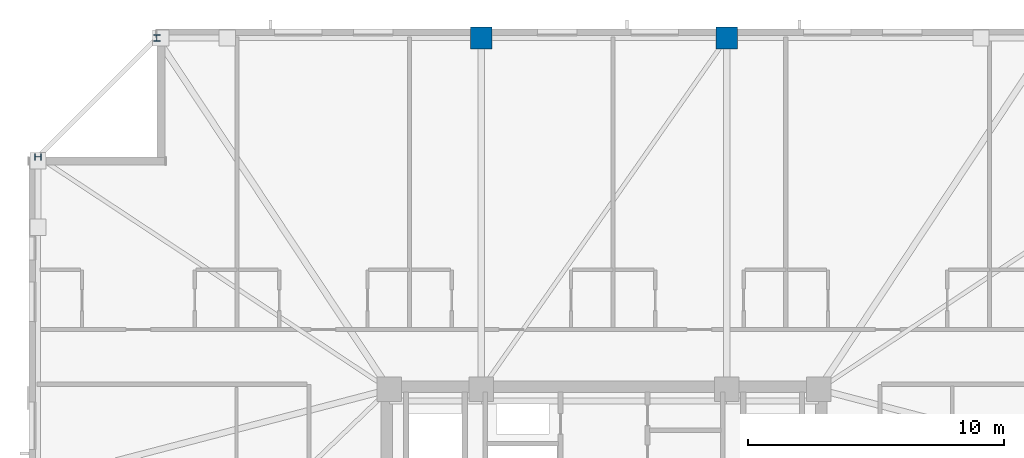
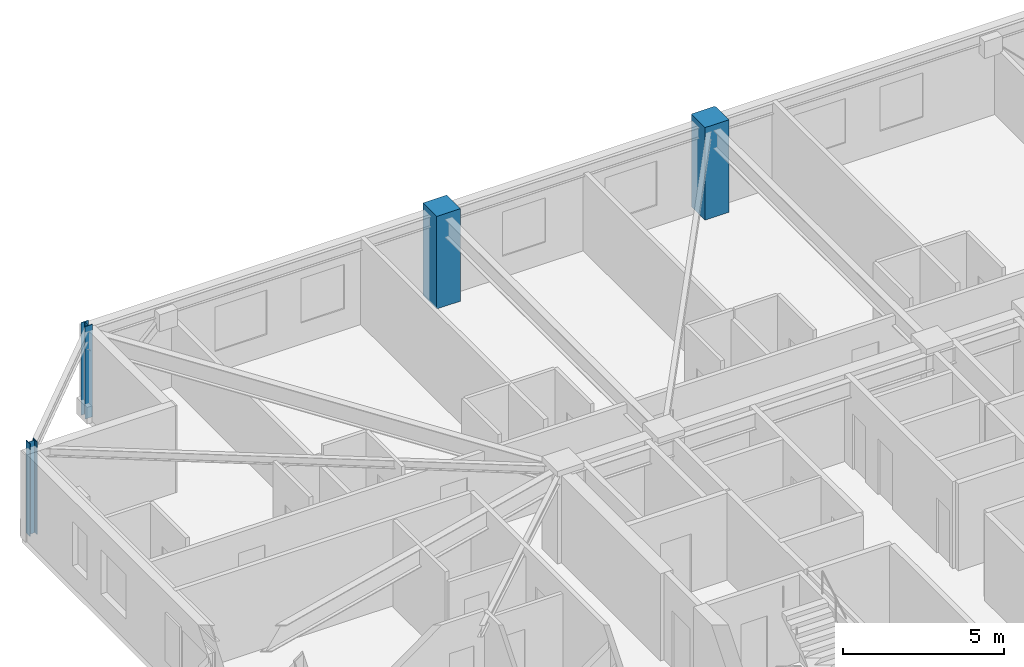
# One storey, part 4 of 17: 4 columns.
"""IFC4 building model written with IfcOpenShell, lengths in metres."""

from ifc_helpers import new_model, si_unit, direction, frame, origin, origin_2d, place, context, subcontext, project, spatial, rectangle, i_section, extrude, material, material_profile, profile_set, type_object, element, save


model = new_model("IFC4")

# Units and contexts
model_context = context("Model", 3, precision=1e-05, world=origin(), true_north=direction((0.0, 1.0)))
body_context = subcontext(model_context, "Body", "Model", "MODEL_VIEW")
ifc_project = project(units=[si_unit("LENGTHUNIT", "METRE"), si_unit("AREAUNIT", "SQUARE_METRE"), si_unit("VOLUMEUNIT", "CUBIC_METRE"), si_unit("PLANEANGLEUNIT", "RADIAN"), si_unit("MASSUNIT", "GRAM", prefix="KILO")], contexts=[model_context])

# Site, building, storey
site_placement = place(None, origin())
site = spatial("IfcSite", under=ifc_project, at=site_placement, CompositionType="ELEMENT")
building_placement = place(site_placement, origin())
building = spatial("IfcBuilding", under=site, at=building_placement, Name="Cairnveth Concourse Tower", CompositionType="ELEMENT")
storey_placement = place(building_placement, frame((0.0, 0.0, 244.5)))
storey = spatial("IfcBuildingStorey", under=building, at=storey_placement, Name="L67", CompositionType="ELEMENT", Elevation=244.5)

# Columns
ifc_material_1 = material(Name="Concrete N65 (65 MPa)", Category="concrete")
ifc_material_profile_1 = material_profile(ifc_material_1, rectangle(XDim=0.85009765625, YDim=0.85009765625, at=origin_2d()), Name="RC-COL-850x850")
ifc_profile_set_1 = profile_set([ifc_material_profile_1], Name="Concrete N65 (65 MPa)")
column_type_1 = type_object("IfcColumnType", Name="PERIMETER PIER COLUMN 850X850", PredefinedType="COLUMN", material=ifc_profile_set_1)
for number, where, z_axis, x_axis, name in (
    (1, (56.800048828125, 61.14990234375, 0.0), (0.0, 0.0, 1.0), (1.0, 0.0, 0.0), "Column P-N2 L67"),
    (2, (47.199951171875, 61.14990234375, 0.0), (0.0, 0.0, 1.0), (1.0, 0.0, 0.0), "Column P-N3 L67"),
):
    element("IfcColumn", number, at=place(storey_placement, frame(where, z_axis=z_axis, x_axis=x_axis)), inside=storey, type_object=column_type_1, Name=name, PredefinedType="COLUMN", context=body_context, shape_type="SweptSolid", body=[
        extrude(rectangle(XDim=0.85009765625, YDim=0.85009765625, at=origin_2d()), origin(), (0.0, 0.0, 1.0), 3.5),
    ])
ifc_material_2 = material(Name="Steel Grade 350", Category="steel")
ifc_material_profile_2 = material_profile(ifc_material_2, i_section(OverallWidth=0.256103515625, OverallDepth=0.260009765625, WebThickness=0.010498046875, FlangeThickness=0.017333984375, FilletRadius=0.012939453125, at=origin_2d()), Name="250UC89.5")
ifc_profile_set_2 = profile_set([ifc_material_profile_2], Name="Steel Grade 350")
column_type_2 = type_object("IfcColumnType", Name="UNIVERSAL STEEL COLUMN 250UC89.5", PredefinedType="COLUMN", material=ifc_profile_set_2)
for number, where, z_axis, x_axis, name in (
    (3, (34.5, 61.14990234375, 0.0), (0.0, 0.0, 1.0), (1.0, 0.0, 0.0), "Column P-N4 L67"),
    (4, (29.85009765625, 56.5, 0.0), (0.0, 0.0, 1.0), (0.0, 1.0, 0.0), "Column P-W1 L67"),
):
    element("IfcColumn", number, at=place(storey_placement, frame(where, z_axis=z_axis, x_axis=x_axis)), inside=storey, type_object=column_type_2, Name=name, PredefinedType="COLUMN", context=body_context, shape_type="SweptSolid", body=[
        extrude(i_section(OverallWidth=0.256103515625, OverallDepth=0.260009765625, WebThickness=0.010498046875, FlangeThickness=0.017333984375, FilletRadius=0.012939453125, at=origin_2d()), origin(), (0.0, 0.0, 1.0), 3.5),
    ])

save(model, "model.ifc")
